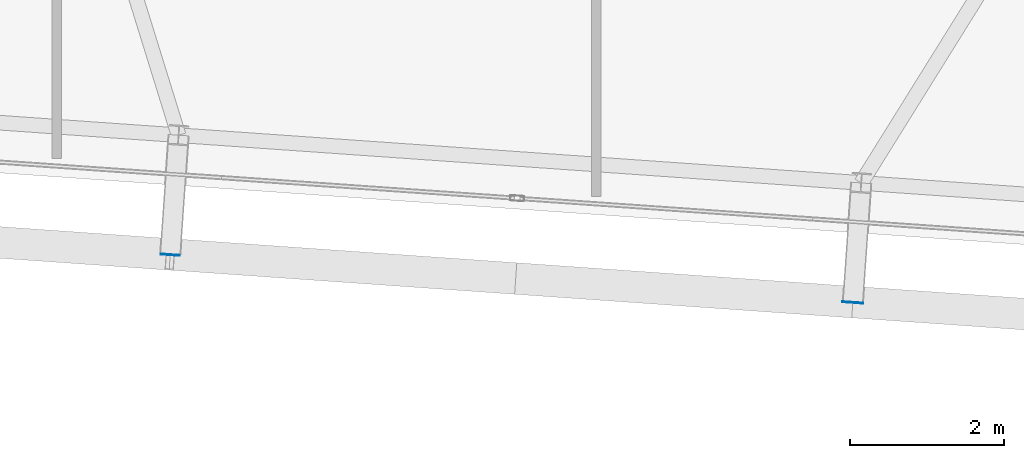
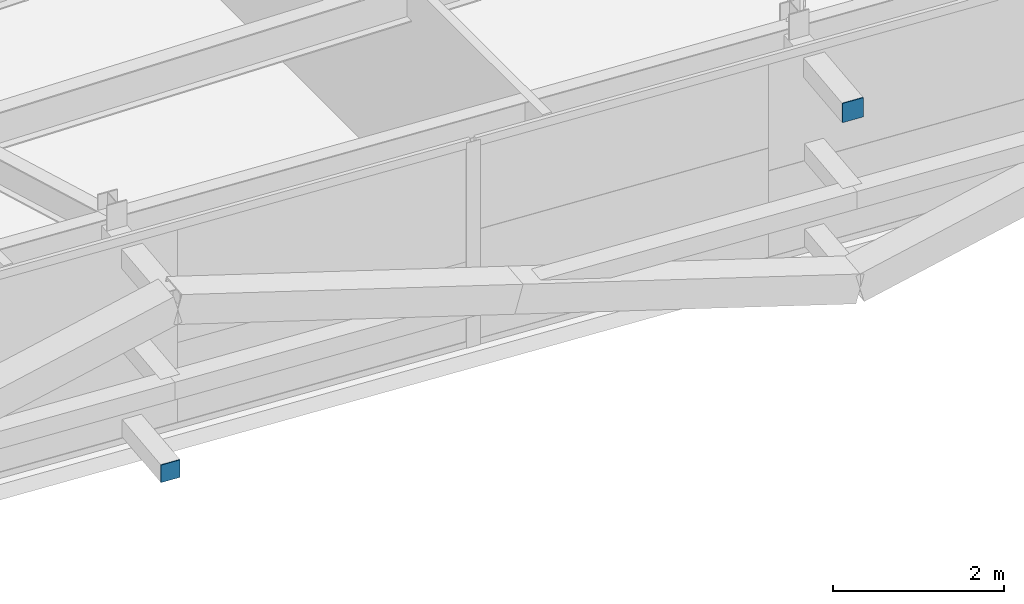
# One storey, part 28 of 39: 2 plates.
"""IFC4 building model written with IfcOpenShell, lengths in metres."""

from ifc_helpers import new_model, si_unit, direction, frame, origin, origin_2d, place, context, subcontext, project, spatial, rectangle, extrude, source, transform, mapped, material, layer, layer_set, type_object, element, save


model = new_model("IFC4")

# Units and contexts
model_context = context("Model", 3, precision=1e-05, world=origin(), true_north=direction((0.0, 1.0)))
body_context = subcontext(model_context, "Body", "Model", "MODEL_VIEW")
ifc_project = project(units=[si_unit("LENGTHUNIT", "METRE"), si_unit("AREAUNIT", "SQUARE_METRE"), si_unit("VOLUMEUNIT", "CUBIC_METRE"), si_unit("PLANEANGLEUNIT", "RADIAN"), si_unit("MASSUNIT", "GRAM", prefix="KILO")], contexts=[model_context])

# Site, building, storey
site_placement = place(None, origin())
site = spatial("IfcSite", under=ifc_project, at=site_placement, CompositionType="ELEMENT")
building_placement = place(site_placement, origin())
building = spatial("IfcBuilding", under=site, at=building_placement, Name="Taldren Reach Tower", CompositionType="ELEMENT")
storey_placement = place(building_placement, frame((0.0, 0.0, 155.050048828125)))
storey = spatial("IfcBuildingStorey", under=building, at=storey_placement, Name="L47", CompositionType="ELEMENT", Elevation=155.050048828125)

# Plates
ifc_material_1 = material(Name="Steel Gr 450 (C450L0)", Category="steel")
ifc_layer_1 = layer(ifc_material_1, 0.011962890625)
ifc_layer_set_1 = layer_set([ifc_layer_1], Name="Steel Gr 450 (C450L0)")
plate_type_1 = type_object("IfcPlateType", Name="PL-CAP-275", PredefinedType="SHEET", material=ifc_layer_set_1)
shared_shape_1 = source(origin(), body_context, "Body", "SweptSolid", [
    extrude(rectangle(XDim=0.27490234375, YDim=0.011962890625, at=origin_2d()), origin(), (0.0, 0.0, 1.0), 0.27490234375),
])
plate_1_placement = place(storey_placement, frame((38.330078125, 1.927978515625, 2.512451171875), z_axis=(0.0, 0.0, 1.0), x_axis=(0.99756405026, -0.069756473744, 0.0)))
element("IfcPlate", 1, at=plate_1_placement, inside=storey, type_object=plate_type_1, Name="Tie strut end cap plate B3-S4 L47", PredefinedType="SHEET", context=body_context, shape_type="MappedRepresentation", body=[
    mapped(shared_shape_1, transform((0.0, 0.0, 0.0), scale=1.0)),
])
ifc_material_2 = material(Name="Steel Gr 350 (C350L0)", Category="steel")
ifc_layer_2 = layer(ifc_material_2, 0.011962890625)
ifc_layer_set_2 = layer_set([ifc_layer_2], Name="Steel Gr 350 (C350L0)")
plate_type_2 = type_object("IfcPlateType", Name="PL-CAP-250", PredefinedType="SHEET", material=ifc_layer_set_2)
shared_shape_2 = source(origin(), body_context, "Body", "SweptSolid", [
    extrude(rectangle(XDim=0.25, YDim=0.011962890625, at=origin_2d()), origin(), (0.0, 0.0, 1.0), 0.25),
])
plate_2_placement = place(storey_placement, frame((29.4716796875, 2.54736328125, 0.094970703125), z_axis=(0.0, 0.0, 1.0), x_axis=(0.99756405026, -0.069756473744, 0.0)))
element("IfcPlate", 2, at=plate_2_placement, inside=storey, type_object=plate_type_2, Name="Tie strut end cap plate B3-S3 L47", PredefinedType="SHEET", context=body_context, shape_type="MappedRepresentation", body=[
    mapped(shared_shape_2, transform((0.0, 0.0, 0.0), scale=1.0)),
])

save(model, "model.ifc")
